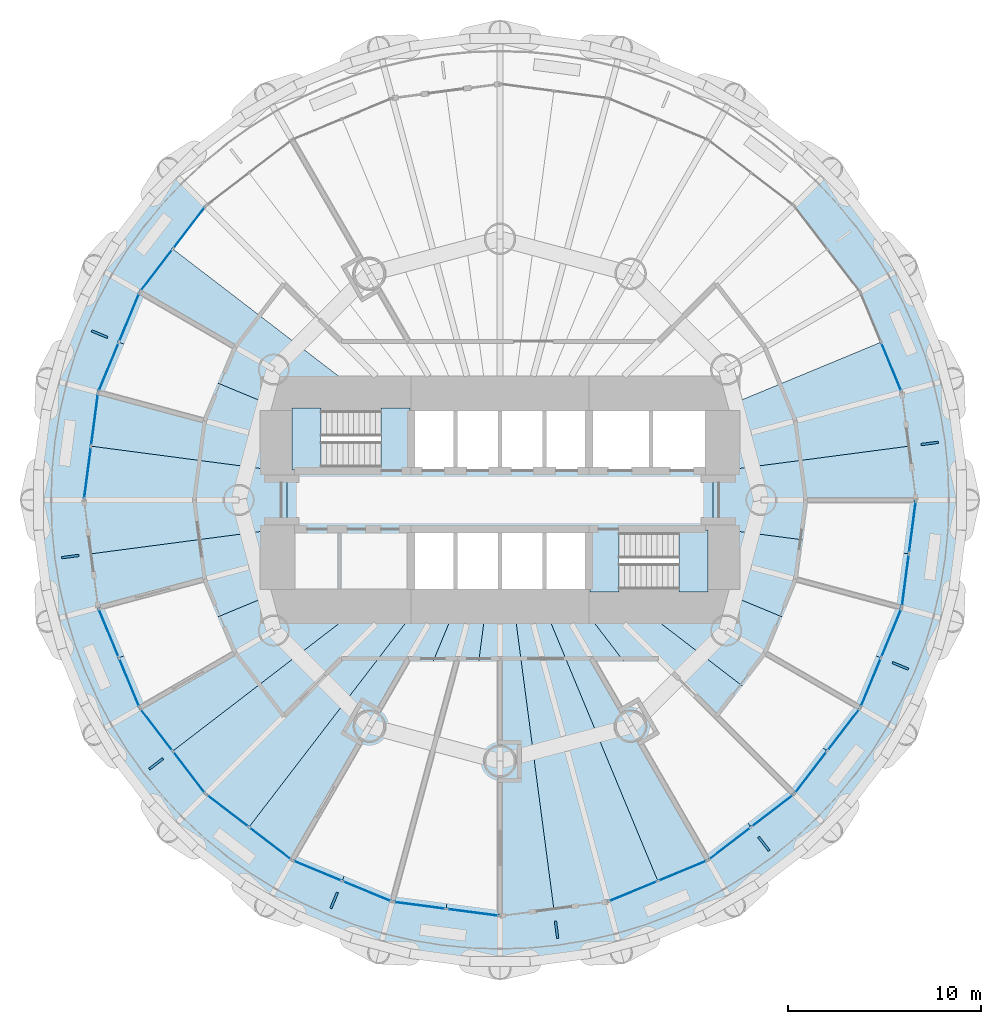
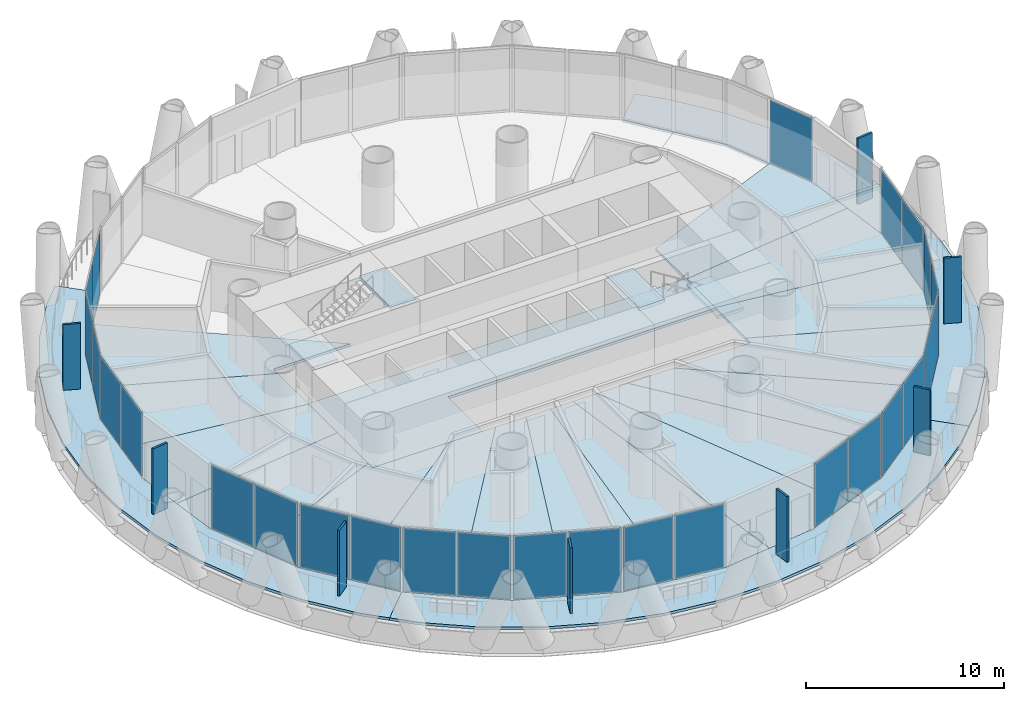
# One storey, part 8 of 16: 35 plates, 24 slabs, 16 elements without a shape of their own.
"""IFC4 building model written with IfcOpenShell, lengths in metres."""

from ifc_helpers import new_model, si_unit, direction, frame, origin, origin_2d, place, context, subcontext, project, spatial, polyline, rectangle, outline, extrude, material, layer, layer_set, type_object, element, aggregate, save


model = new_model("IFC4")

# Units and contexts
model_context = context("Model", 3, precision=1e-05, world=origin(), true_north=direction((0.0, 1.0)))
body_context = subcontext(model_context, "Body", "Model", "MODEL_VIEW")
ifc_project = project(units=[si_unit("LENGTHUNIT", "METRE"), si_unit("AREAUNIT", "SQUARE_METRE"), si_unit("VOLUMEUNIT", "CUBIC_METRE"), si_unit("PLANEANGLEUNIT", "RADIAN"), si_unit("MASSUNIT", "GRAM", prefix="KILO")], contexts=[model_context])

# Site, building, storey
site_placement = place(None, origin())
site = spatial("IfcSite", under=ifc_project, at=site_placement, CompositionType="ELEMENT")
building_placement = place(site_placement, origin())
building = spatial("IfcBuilding", under=site, at=building_placement, Name="Qaws Media Tower", CompositionType="ELEMENT")
storey_placement = place(building_placement, frame((0.0, 0.0, 38.60009765625)))
storey = spatial("IfcBuildingStorey", under=building, at=storey_placement, Name="L07", CompositionType="ELEMENT", Elevation=38.60009765625)

# Slabs
ifc_material_1 = material(Name="Concrete C35/45", Category="concrete")
ifc_layer_1 = layer(ifc_material_1, 0.159912109375)
ifc_layer_set_1 = layer_set([ifc_layer_1], Name="Composite balcony slab 160")
slab_type_1 = type_object("IfcSlabType", Name="Composite balcony slab 160", PredefinedType="FLOOR", material=ifc_layer_set_1)
slab_1_placement = place(storey_placement, frame((0.0, 0.0, -0.16015625)))
element("IfcSlab", 1, at=slab_1_placement, inside=storey, type_object=slab_type_1, Name="S2 balcony slab L07 R10 to R16, movement joints on R10 and R16", PredefinedType="FLOOR", context=body_context, shape_type="SweptSolid", body=[
    extrude(outline(polyline([(42.031005859375, 34.24169921875), (40.1279296875, 36.721923828125), (38.564697265625, 39.42919921875), (37.368408203125, 42.317626953125), (36.55908203125, 45.33740234375), (36.151123046875, 48.43701171875), (36.151123046875, 51.56298828125), (36.55908203125, 54.66259765625), (37.368408203125, 57.682373046875), (38.564697265625, 60.57080078125), (40.1279296875, 63.278076171875), (42.031005859375, 65.75830078125), (43.13623046875, 66.86376953125), (44.797119140625, 65.202880859375), (41.380615234375, 60.75), (39.232666015625, 55.564697265625), (38.5, 50.0), (39.232666015625, 44.435302734375), (41.380615234375, 39.25), (44.797119140625, 34.797119140625), (43.13623046875, 33.13623046875), (42.031005859375, 34.24169921875)])), origin(), (0.0, 0.0, 1.0), 0.16015625),
])
slab_2_placement = place(storey_placement, frame((0.0, 0.0, -0.16015625)))
element("IfcSlab", 2, at=slab_2_placement, inside=storey, type_object=slab_type_1, Name="S2 balcony slab L07 R16 to R22, movement joints on R16 and R22", PredefinedType="FLOOR", context=body_context, shape_type="SweptSolid", body=[
    extrude(outline(polyline([(75.75830078125, 32.031005859375), (73.278076171875, 30.1279296875), (70.57080078125, 28.564697265625), (67.682373046875, 27.368408203125), (64.66259765625, 26.55908203125), (61.56298828125, 26.151123046875), (58.43701171875, 26.151123046875), (55.33740234375, 26.55908203125), (52.317626953125, 27.368408203125), (49.42919921875, 28.564697265625), (46.721923828125, 30.1279296875), (44.24169921875, 32.031005859375), (43.13623046875, 33.13623046875), (44.797119140625, 34.797119140625), (49.25, 31.380615234375), (54.435302734375, 29.232666015625), (60.0, 28.5), (65.564697265625, 29.232666015625), (70.75, 31.380615234375), (75.202880859375, 34.797119140625), (76.86376953125, 33.13623046875), (75.75830078125, 32.031005859375)])), origin(), (0.0, 0.0, 1.0), 0.16015625),
])
slab_3_placement = place(storey_placement, frame((0.0, 0.0, -0.16015625)))
element("IfcSlab", 3, at=slab_3_placement, inside=storey, type_object=slab_type_1, Name="S2 balcony slab L07 R22 to R04, movement joints on R22 and R04", PredefinedType="FLOOR", context=body_context, shape_type="SweptSolid", body=[
    extrude(outline(polyline([(83.44091796875, 45.33740234375), (82.631591796875, 42.317626953125), (81.435302734375, 39.42919921875), (79.8720703125, 36.721923828125), (77.968994140625, 34.24169921875), (76.86376953125, 33.13623046875), (75.202880859375, 34.797119140625), (78.619384765625, 39.25), (80.767333984375, 44.435302734375), (81.5, 50.0), (80.767333984375, 55.564697265625), (78.619384765625, 60.75), (75.202880859375, 65.202880859375), (76.86376953125, 66.86376953125), (77.968994140625, 65.75830078125), (79.8720703125, 63.278076171875), (81.435302734375, 60.57080078125), (82.631591796875, 57.682373046875), (83.44091796875, 54.66259765625), (83.848876953125, 51.56298828125), (83.848876953125, 48.43701171875), (83.44091796875, 45.33740234375)])), origin(), (0.0, 0.0, 1.0), 0.16015625),
])
ifc_material_2 = material(Name="Concrete C35/45", Category="concrete")
ifc_layer_2 = layer(ifc_material_2, 0.159912109375)
ifc_layer_set_2 = layer_set([ifc_layer_2], Name="Composite floor slab 160")
slab_type_2 = type_object("IfcSlabType", Name="Composite floor slab 160", PredefinedType="FLOOR", material=ifc_layer_set_2)
slab_4_placement = place(storey_placement, frame((0.0, 0.0, -0.16015625)))
element("IfcSlab", 4, at=slab_4_placement, inside=storey, type_object=slab_type_2, Name="S1 core floor slab L07", PredefinedType="FLOOR", context=body_context, shape_type="SweptSolid", body=[
    extrude(outline(polyline([(71.0, 51.5), (71.0, 48.5), (55.39990234375, 48.5), (55.39990234375, 45.0), (49.0, 45.0), (49.0, 51.5), (71.0, 51.5)])), origin(), (0.0, 0.0, 1.0), 0.16015625),
])
slab_5_placement = place(storey_placement, frame((0.0, 0.0, -0.16015625)))
element("IfcSlab", 5, at=slab_5_placement, inside=storey, type_object=slab_type_2, Name="S1 floor panel L07 on R01", PredefinedType="FLOOR", context=body_context, shape_type="SweptSolid", body=[
    extrude(outline(polyline([(81.5, 50.0), (81.1337890625, 47.2177734375), (71.0, 48.5517578125), (71.0, 51.4482421875), (81.1337890625, 52.7822265625), (81.5, 50.0)])), origin(), (0.0, 0.0, 1.0), 0.16015625),
])
slab_6_placement = place(storey_placement, frame((0.0, 0.0, -0.16015625)))
element("IfcSlab", 6, at=slab_6_placement, inside=storey, type_object=slab_type_2, Name="S1 floor panel L07 on R02", PredefinedType="FLOOR", context=body_context, shape_type="SweptSolid", body=[
    extrude(outline(polyline([(80.767333984375, 55.564697265625), (81.1337890625, 52.7822265625), (71.0, 51.4482421875), (71.0, 54.556396484375), (79.693603515625, 58.1572265625), (80.767333984375, 55.564697265625)])), origin(), (0.0, 0.0, 1.0), 0.16015625),
])
slab_7_placement = place(storey_placement, frame((0.0, 0.0, -0.16015625)))
element("IfcSlab", 7, at=slab_7_placement, inside=storey, type_object=slab_type_2, Name="S1 floor panel L07 on R11", PredefinedType="FLOOR", context=body_context, shape_type="SweptSolid", body=[
    extrude(outline(polyline([(41.380615234375, 60.75), (43.0888671875, 62.976318359375), (53.48388671875, 55.0), (49.0, 55.0), (49.0, 54.556396484375), (40.306396484375, 58.1572265625), (41.380615234375, 60.75)])), origin(), (0.0, 0.0, 1.0), 0.16015625),
])
slab_8_placement = place(storey_placement, frame((0.0, 0.0, -0.16015625)))
element("IfcSlab", 8, at=slab_8_placement, inside=storey, type_object=slab_type_2, Name="S1 floor panel L07 on R12", PredefinedType="FLOOR", context=body_context, shape_type="SweptSolid", body=[
    extrude(outline(polyline([(39.232666015625, 55.564697265625), (40.306396484375, 58.1572265625), (49.0, 54.556396484375), (49.0, 51.4482421875), (38.8662109375, 52.7822265625), (39.232666015625, 55.564697265625)])), origin(), (0.0, 0.0, 1.0), 0.16015625),
])
slab_9_placement = place(storey_placement, frame((0.0, 0.0, -0.16015625)))
element("IfcSlab", 9, at=slab_9_placement, inside=storey, type_object=slab_type_2, Name="S1 floor panel L07 on R13", PredefinedType="FLOOR", context=body_context, shape_type="SweptSolid", body=[
    extrude(outline(polyline([(38.5, 50.0), (38.8662109375, 52.7822265625), (49.0, 51.4482421875), (49.0, 48.5517578125), (38.8662109375, 47.2177734375), (38.5, 50.0)])), origin(), (0.0, 0.0, 1.0), 0.16015625),
])
slab_10_placement = place(storey_placement, frame((0.0, 0.0, -0.16015625)))
element("IfcSlab", 10, at=slab_10_placement, inside=storey, type_object=slab_type_2, Name="S1 floor panel L07 on R14", PredefinedType="FLOOR", context=body_context, shape_type="SweptSolid", body=[
    extrude(outline(polyline([(39.232666015625, 44.435302734375), (38.8662109375, 47.2177734375), (49.0, 48.5517578125), (49.0, 45.443603515625), (40.306396484375, 41.8427734375), (39.232666015625, 44.435302734375)])), origin(), (0.0, 0.0, 1.0), 0.16015625),
])
slab_11_placement = place(storey_placement, frame((0.0, 0.0, -0.16015625)))
element("IfcSlab", 11, at=slab_11_placement, inside=storey, type_object=slab_type_2, Name="S1 floor panel L07 on R15", PredefinedType="FLOOR", context=body_context, shape_type="SweptSolid", body=[
    extrude(outline(polyline([(41.380615234375, 39.25), (40.306396484375, 41.8427734375), (49.0, 45.443603515625), (49.0, 45.0), (53.48388671875, 45.0), (43.0888671875, 37.023681640625), (41.380615234375, 39.25)])), origin(), (0.0, 0.0, 1.0), 0.16015625),
])
slab_12_placement = place(storey_placement, frame((0.0, 0.0, -0.16015625)))
element("IfcSlab", 12, at=slab_12_placement, inside=storey, type_object=slab_type_2, Name="S1 floor panel L07 on R16", PredefinedType="FLOOR", context=body_context, shape_type="SweptSolid", body=[
    extrude(outline(polyline([(44.797119140625, 34.797119140625), (43.0888671875, 37.023681640625), (53.48388671875, 45.0), (56.163330078125, 45.0), (47.023681640625, 33.0888671875), (44.797119140625, 34.797119140625)])), origin(), (0.0, 0.0, 1.0), 0.16015625),
])
slab_13_placement = place(storey_placement, frame((0.0, 0.0, -0.16015625)))
element("IfcSlab", 13, at=slab_13_placement, inside=storey, type_object=slab_type_2, Name="S1 floor panel L07 on R17", PredefinedType="FLOOR", context=body_context, shape_type="SweptSolid", body=[
    extrude(outline(polyline([(49.25, 31.380615234375), (47.023681640625, 33.0888671875), (56.163330078125, 45.0), (57.928955078125, 45.0), (51.8427734375, 30.306396484375), (49.25, 31.380615234375)])), origin(), (0.0, 0.0, 1.0), 0.16015625),
])
slab_14_placement = place(storey_placement, frame((0.0, 0.0, -0.16015625)))
element("IfcSlab", 14, at=slab_14_placement, inside=storey, type_object=slab_type_2, Name="S1 floor panel L07 on R18", PredefinedType="FLOOR", context=body_context, shape_type="SweptSolid", body=[
    extrude(outline(polyline([(54.435302734375, 29.232666015625), (51.8427734375, 30.306396484375), (57.928955078125, 45.0), (59.341796875, 45.0), (57.2177734375, 28.8662109375), (54.435302734375, 29.232666015625)])), origin(), (0.0, 0.0, 1.0), 0.16015625),
])
slab_15_placement = place(storey_placement, frame((0.0, 0.0, -0.16015625)))
element("IfcSlab", 15, at=slab_15_placement, inside=storey, type_object=slab_type_2, Name="S1 floor panel L07 on R19", PredefinedType="FLOOR", context=body_context, shape_type="SweptSolid", body=[
    extrude(outline(polyline([(60.0, 28.5), (57.2177734375, 28.8662109375), (59.341796875, 45.0), (60.658203125, 45.0), (62.7822265625, 28.8662109375), (60.0, 28.5)])), origin(), (0.0, 0.0, 1.0), 0.16015625),
])
slab_16_placement = place(storey_placement, frame((0.0, 0.0, -0.16015625)))
element("IfcSlab", 16, at=slab_16_placement, inside=storey, type_object=slab_type_2, Name="S1 floor panel L07 on R20", PredefinedType="FLOOR", context=body_context, shape_type="SweptSolid", body=[
    extrude(outline(polyline([(65.564697265625, 29.232666015625), (62.7822265625, 28.8662109375), (60.658203125, 45.0), (62.071044921875, 45.0), (68.1572265625, 30.306396484375), (65.564697265625, 29.232666015625)])), origin(), (0.0, 0.0, 1.0), 0.16015625),
])
slab_17_placement = place(storey_placement, frame((0.0, 0.0, -0.16015625)))
element("IfcSlab", 17, at=slab_17_placement, inside=storey, type_object=slab_type_2, Name="S1 floor panel L07 on R21", PredefinedType="FLOOR", context=body_context, shape_type="SweptSolid", body=[
    extrude(outline(polyline([(70.75, 31.380615234375), (68.1572265625, 30.306396484375), (62.071044921875, 45.0), (63.836669921875, 45.0), (72.976318359375, 33.0888671875), (70.75, 31.380615234375)])), origin(), (0.0, 0.0, 1.0), 0.16015625),
])
slab_18_placement = place(storey_placement, frame((0.0, 0.0, -0.16015625)))
element("IfcSlab", 18, at=slab_18_placement, inside=storey, type_object=slab_type_2, Name="S1 floor panel L07 on R22", PredefinedType="FLOOR", context=body_context, shape_type="SweptSolid", body=[
    extrude(outline(polyline([(75.202880859375, 34.797119140625), (72.976318359375, 33.0888671875), (63.836669921875, 45.0), (66.51611328125, 45.0), (76.9111328125, 37.023681640625), (75.202880859375, 34.797119140625)])), origin(), (0.0, 0.0, 1.0), 0.16015625),
])
slab_19_placement = place(storey_placement, frame((0.0, 0.0, -0.16015625)))
element("IfcSlab", 19, at=slab_19_placement, inside=storey, type_object=slab_type_2, Name="S1 floor panel L07 on R23", PredefinedType="FLOOR", context=body_context, shape_type="SweptSolid", body=[
    extrude(outline(polyline([(78.619384765625, 39.25), (76.9111328125, 37.023681640625), (66.51611328125, 45.0), (71.0, 45.0), (71.0, 45.443603515625), (79.693603515625, 41.8427734375), (78.619384765625, 39.25)])), origin(), (0.0, 0.0, 1.0), 0.16015625),
])
slab_20_placement = place(storey_placement, frame((0.0, 0.0, -0.16015625)))
element("IfcSlab", 20, at=slab_20_placement, inside=storey, type_object=slab_type_2, Name="S1 floor panel L07 on R24", PredefinedType="FLOOR", context=body_context, shape_type="SweptSolid", body=[
    extrude(outline(polyline([(79.693603515625, 41.8427734375), (71.0, 45.443603515625), (71.0, 48.5517578125), (81.1337890625, 47.2177734375), (80.767333984375, 44.435302734375), (79.693603515625, 41.8427734375)])), origin(), (0.0, 0.0, 1.0), 0.16015625),
])

# Curtain wall, plate
ifc_material_3 = material(Name="Aluminium and clear glass", Category="aluminium")
curtain_wall_type = type_object("IfcCurtainWallType", Name="Unitised curtain wall CW-A", PredefinedType="NOTDEFINED", material=ifc_material_3)
curtain_wall_1_placement = place(storey_placement, origin())
curtain_wall_1 = element("IfcCurtainWall", 21, at=curtain_wall_1_placement, inside=storey, type_object=curtain_wall_type, Name="CWA curtain wall L07-02", PredefinedType="NOTDEFINED")
ifc_material_4 = material(Name="Clear laminated double glazing", Category="glass")
ifc_layer_3 = layer(ifc_material_4, 0.031982421875)
ifc_layer_set_3 = layer_set([ifc_layer_3], Name="Curtain wall glass unit 32")
plate_type_1 = type_object("IfcPlateType", Name="Curtain wall glass unit 32", PredefinedType="CURTAIN_PANEL", material=ifc_layer_set_3)
plate_1_placement = place(storey_placement, frame((80.222900390625, 56.87939453125, 0.080078125), z_axis=(0.0, 0.0, 1.0), x_axis=(-0.382683390022, 0.923879550051, 0.0)))
plate_1 = element("IfcPlate", 22, at=plate_1_placement, type_object=plate_type_1, Name="CWA panel 1.1", PredefinedType="CURTAIN_PANEL", context=body_context, shape_type="SweptSolid", body=[
    extrude(rectangle(XDim=2.686279296875, YDim=0.031982421875, at=origin_2d()), origin(), (0.0, 0.0, 1.0), 3.8798828125),
])
aggregate(curtain_wall_1, [plate_1])

# Curtain wall, plates
curtain_wall_2_placement = place(storey_placement, origin())
curtain_wall_2 = element("IfcCurtainWall", 23, at=curtain_wall_2_placement, inside=storey, type_object=curtain_wall_type, Name="CWA curtain wall L07-10", PredefinedType="NOTDEFINED")
plate_2_placement = place(storey_placement, frame((43.930908203125, 64.07373046875, 0.080078125), z_axis=(0.0, 0.0, 1.0), x_axis=(-0.608761368139, -0.793353386998, 0.0)))
plate_2 = element("IfcPlate", 24, at=plate_2_placement, type_object=plate_type_1, Name="CWA panel 1.1", PredefinedType="CURTAIN_PANEL", context=body_context, shape_type="SweptSolid", body=[
    extrude(rectangle(XDim=2.686279296875, YDim=0.031982421875, at=origin_2d()), origin(), (0.0, 0.0, 1.0), 3.8798828125),
])
plate_3_placement = place(storey_placement, frame((42.246826171875, 61.879150390625, 0.080078125), z_axis=(0.0, 0.0, 1.0), x_axis=(-0.608761368139, -0.793353386998, 0.0)))
plate_3 = element("IfcPlate", 25, at=plate_3_placement, type_object=plate_type_1, Name="CWA panel 2.1", PredefinedType="CURTAIN_PANEL", context=body_context, shape_type="SweptSolid", body=[
    extrude(rectangle(XDim=2.686279296875, YDim=0.031982421875, at=origin_2d()), origin(), (0.0, 0.0, 1.0), 3.8798828125),
])
aggregate(curtain_wall_2, [plate_2, plate_3])

curtain_wall_3_placement = place(storey_placement, origin())
curtain_wall_3 = element("IfcCurtainWall", 26, at=curtain_wall_3_placement, inside=storey, type_object=curtain_wall_type, Name="CWA curtain wall L07-11", PredefinedType="NOTDEFINED")
plate_4_placement = place(storey_placement, frame((40.8359375, 59.43505859375, 0.080078125), z_axis=(0.0, 0.0, 1.0), x_axis=(-0.382683390022, -0.923879550051, 0.0)))
plate_4 = element("IfcPlate", 27, at=plate_4_placement, type_object=plate_type_1, Name="CWA panel 1.1", PredefinedType="CURTAIN_PANEL", context=body_context, shape_type="SweptSolid", body=[
    extrude(rectangle(XDim=2.686279296875, YDim=0.031982421875, at=origin_2d()), origin(), (0.0, 0.0, 1.0), 3.8798828125),
])
plate_5_placement = place(storey_placement, frame((39.777099609375, 56.87939453125, 0.080078125), z_axis=(0.0, 0.0, 1.0), x_axis=(-0.382683390022, -0.923879550051, 0.0)))
plate_5 = element("IfcPlate", 28, at=plate_5_placement, type_object=plate_type_1, Name="CWA panel 2.1", PredefinedType="CURTAIN_PANEL", context=body_context, shape_type="SweptSolid", body=[
    extrude(rectangle(XDim=2.686279296875, YDim=0.031982421875, at=origin_2d()), origin(), (0.0, 0.0, 1.0), 3.8798828125),
])
aggregate(curtain_wall_3, [plate_4, plate_5])

curtain_wall_4_placement = place(storey_placement, origin())
curtain_wall_4 = element("IfcCurtainWall", 29, at=curtain_wall_4_placement, inside=storey, type_object=curtain_wall_type, Name="CWA curtain wall L07-12", PredefinedType="NOTDEFINED")
plate_6_placement = place(storey_placement, frame((39.046875, 54.153564453125, 0.080078125), z_axis=(0.0, 0.0, 1.0), x_axis=(-0.130526249496, -0.991444853833, 0.0)))
plate_6 = element("IfcPlate", 30, at=plate_6_placement, type_object=plate_type_1, Name="CWA panel 1.1", PredefinedType="CURTAIN_PANEL", context=body_context, shape_type="SweptSolid", body=[
    extrude(rectangle(XDim=2.686279296875, YDim=0.031982421875, at=origin_2d()), origin(), (0.0, 0.0, 1.0), 3.8798828125),
])
plate_7_placement = place(storey_placement, frame((38.685791015625, 51.410888671875, 0.080078125), z_axis=(0.0, 0.0, 1.0), x_axis=(-0.130526249496, -0.991444853833, 0.0)))
plate_7 = element("IfcPlate", 31, at=plate_7_placement, type_object=plate_type_1, Name="CWA panel 2.1", PredefinedType="CURTAIN_PANEL", context=body_context, shape_type="SweptSolid", body=[
    extrude(rectangle(XDim=2.686279296875, YDim=0.031982421875, at=origin_2d()), origin(), (0.0, 0.0, 1.0), 3.8798828125),
])
aggregate(curtain_wall_4, [plate_6, plate_7])

curtain_wall_5_placement = place(storey_placement, origin())
curtain_wall_5 = element("IfcCurtainWall", 32, at=curtain_wall_5_placement, inside=storey, type_object=curtain_wall_type, Name="CWA curtain wall L07-14", PredefinedType="NOTDEFINED")
plate_8_placement = place(storey_placement, frame((39.777099609375, 43.12060546875, 0.080078125), z_axis=(0.0, 0.0, 1.0), x_axis=(0.382683390022, -0.923879550051, 0.0)))
plate_8 = element("IfcPlate", 33, at=plate_8_placement, type_object=plate_type_1, Name="CWA panel 1.1", PredefinedType="CURTAIN_PANEL", context=body_context, shape_type="SweptSolid", body=[
    extrude(rectangle(XDim=2.686279296875, YDim=0.031982421875, at=origin_2d()), origin(), (0.0, 0.0, 1.0), 3.8798828125),
])
plate_9_placement = place(storey_placement, frame((40.8359375, 40.56494140625, 0.080078125), z_axis=(0.0, 0.0, 1.0), x_axis=(0.382683390022, -0.923879550051, 0.0)))
plate_9 = element("IfcPlate", 34, at=plate_9_placement, type_object=plate_type_1, Name="CWA panel 2.1", PredefinedType="CURTAIN_PANEL", context=body_context, shape_type="SweptSolid", body=[
    extrude(rectangle(XDim=2.686279296875, YDim=0.031982421875, at=origin_2d()), origin(), (0.0, 0.0, 1.0), 3.8798828125),
])
aggregate(curtain_wall_5, [plate_8, plate_9])

curtain_wall_6_placement = place(storey_placement, origin())
curtain_wall_6 = element("IfcCurtainWall", 35, at=curtain_wall_6_placement, inside=storey, type_object=curtain_wall_type, Name="CWA curtain wall L07-15", PredefinedType="NOTDEFINED")
plate_10_placement = place(storey_placement, frame((42.246826171875, 38.120849609375, 0.080078125), z_axis=(0.0, 0.0, 1.0), x_axis=(0.608761368139, -0.793353386998, 0.0)))
plate_10 = element("IfcPlate", 36, at=plate_10_placement, type_object=plate_type_1, Name="CWA panel 1.1", PredefinedType="CURTAIN_PANEL", context=body_context, shape_type="SweptSolid", body=[
    extrude(rectangle(XDim=2.686279296875, YDim=0.031982421875, at=origin_2d()), origin(), (0.0, 0.0, 1.0), 3.8798828125),
])
plate_11_placement = place(storey_placement, frame((43.930908203125, 35.92626953125, 0.080078125), z_axis=(0.0, 0.0, 1.0), x_axis=(0.608761368139, -0.793353386998, 0.0)))
plate_11 = element("IfcPlate", 37, at=plate_11_placement, type_object=plate_type_1, Name="CWA panel 2.1", PredefinedType="CURTAIN_PANEL", context=body_context, shape_type="SweptSolid", body=[
    extrude(rectangle(XDim=2.686279296875, YDim=0.031982421875, at=origin_2d()), origin(), (0.0, 0.0, 1.0), 3.8798828125),
])
aggregate(curtain_wall_6, [plate_10, plate_11])

curtain_wall_7_placement = place(storey_placement, origin())
curtain_wall_7 = element("IfcCurtainWall", 38, at=curtain_wall_7_placement, inside=storey, type_object=curtain_wall_type, Name="CWA curtain wall L07-16", PredefinedType="NOTDEFINED")
plate_12_placement = place(storey_placement, frame((45.92626953125, 33.930908203125, 0.080078125), z_axis=(0.0, 0.0, 1.0), x_axis=(0.793353386998, -0.608761368139, 0.0)))
plate_12 = element("IfcPlate", 39, at=plate_12_placement, type_object=plate_type_1, Name="CWA panel 1.1", PredefinedType="CURTAIN_PANEL", context=body_context, shape_type="SweptSolid", body=[
    extrude(rectangle(XDim=2.686279296875, YDim=0.031982421875, at=origin_2d()), origin(), (0.0, 0.0, 1.0), 3.8798828125),
])
plate_13_placement = place(storey_placement, frame((48.120849609375, 32.246826171875, 0.080078125), z_axis=(0.0, 0.0, 1.0), x_axis=(0.793353386998, -0.608761368139, 0.0)))
plate_13 = element("IfcPlate", 40, at=plate_13_placement, type_object=plate_type_1, Name="CWA panel 2.1", PredefinedType="CURTAIN_PANEL", context=body_context, shape_type="SweptSolid", body=[
    extrude(rectangle(XDim=2.686279296875, YDim=0.031982421875, at=origin_2d()), origin(), (0.0, 0.0, 1.0), 3.8798828125),
])
aggregate(curtain_wall_7, [plate_12, plate_13])

curtain_wall_8_placement = place(storey_placement, origin())
curtain_wall_8 = element("IfcCurtainWall", 41, at=curtain_wall_8_placement, inside=storey, type_object=curtain_wall_type, Name="CWA curtain wall L07-17", PredefinedType="NOTDEFINED")
plate_14_placement = place(storey_placement, frame((50.56494140625, 30.8359375, 0.080078125), z_axis=(0.0, 0.0, 1.0), x_axis=(0.923879550051, -0.382683390022, 0.0)))
plate_14 = element("IfcPlate", 42, at=plate_14_placement, type_object=plate_type_1, Name="CWA panel 1.1", PredefinedType="CURTAIN_PANEL", context=body_context, shape_type="SweptSolid", body=[
    extrude(rectangle(XDim=2.686279296875, YDim=0.031982421875, at=origin_2d()), origin(), (0.0, 0.0, 1.0), 3.8798828125),
])
plate_15_placement = place(storey_placement, frame((53.12060546875, 29.777099609375, 0.080078125), z_axis=(0.0, 0.0, 1.0), x_axis=(0.923879550051, -0.382683390022, 0.0)))
plate_15 = element("IfcPlate", 43, at=plate_15_placement, type_object=plate_type_1, Name="CWA panel 2.1", PredefinedType="CURTAIN_PANEL", context=body_context, shape_type="SweptSolid", body=[
    extrude(rectangle(XDim=2.686279296875, YDim=0.031982421875, at=origin_2d()), origin(), (0.0, 0.0, 1.0), 3.8798828125),
])
aggregate(curtain_wall_8, [plate_14, plate_15])

curtain_wall_9_placement = place(storey_placement, origin())
curtain_wall_9 = element("IfcCurtainWall", 44, at=curtain_wall_9_placement, inside=storey, type_object=curtain_wall_type, Name="CWA curtain wall L07-18", PredefinedType="NOTDEFINED")
plate_16_placement = place(storey_placement, frame((55.846435546875, 29.046875, 0.080078125), z_axis=(0.0, 0.0, 1.0), x_axis=(0.991444853833, -0.130526249496, 0.0)))
plate_16 = element("IfcPlate", 45, at=plate_16_placement, type_object=plate_type_1, Name="CWA panel 1.1", PredefinedType="CURTAIN_PANEL", context=body_context, shape_type="SweptSolid", body=[
    extrude(rectangle(XDim=2.686279296875, YDim=0.031982421875, at=origin_2d()), origin(), (0.0, 0.0, 1.0), 3.8798828125),
])
plate_17_placement = place(storey_placement, frame((58.589111328125, 28.685791015625, 0.080078125), z_axis=(0.0, 0.0, 1.0), x_axis=(0.991444853833, -0.130526249496, 0.0)))
plate_17 = element("IfcPlate", 46, at=plate_17_placement, type_object=plate_type_1, Name="CWA panel 2.1", PredefinedType="CURTAIN_PANEL", context=body_context, shape_type="SweptSolid", body=[
    extrude(rectangle(XDim=2.686279296875, YDim=0.031982421875, at=origin_2d()), origin(), (0.0, 0.0, 1.0), 3.8798828125),
])
aggregate(curtain_wall_9, [plate_16, plate_17])

curtain_wall_10_placement = place(storey_placement, origin())
curtain_wall_10 = element("IfcCurtainWall", 47, at=curtain_wall_10_placement, inside=storey, type_object=curtain_wall_type, Name="CWA curtain wall L07-20", PredefinedType="NOTDEFINED")
plate_18_placement = place(storey_placement, frame((66.87939453125, 29.777099609375, 0.080078125), z_axis=(0.0, 0.0, 1.0), x_axis=(0.923879550051, 0.382683390022, 0.0)))
plate_18 = element("IfcPlate", 48, at=plate_18_placement, type_object=plate_type_1, Name="CWA panel 1.1", PredefinedType="CURTAIN_PANEL", context=body_context, shape_type="SweptSolid", body=[
    extrude(rectangle(XDim=2.686279296875, YDim=0.031982421875, at=origin_2d()), origin(), (0.0, 0.0, 1.0), 3.8798828125),
])
plate_19_placement = place(storey_placement, frame((69.43505859375, 30.8359375, 0.080078125), z_axis=(0.0, 0.0, 1.0), x_axis=(0.923879550051, 0.382683390022, 0.0)))
plate_19 = element("IfcPlate", 49, at=plate_19_placement, type_object=plate_type_1, Name="CWA panel 2.1", PredefinedType="CURTAIN_PANEL", context=body_context, shape_type="SweptSolid", body=[
    extrude(rectangle(XDim=2.686279296875, YDim=0.031982421875, at=origin_2d()), origin(), (0.0, 0.0, 1.0), 3.8798828125),
])
aggregate(curtain_wall_10, [plate_18, plate_19])

curtain_wall_11_placement = place(storey_placement, origin())
curtain_wall_11 = element("IfcCurtainWall", 50, at=curtain_wall_11_placement, inside=storey, type_object=curtain_wall_type, Name="CWA curtain wall L07-21", PredefinedType="NOTDEFINED")
plate_20_placement = place(storey_placement, frame((71.879150390625, 32.246826171875, 0.080078125), z_axis=(0.0, 0.0, 1.0), x_axis=(0.793353386998, 0.608761368139, 0.0)))
plate_20 = element("IfcPlate", 51, at=plate_20_placement, type_object=plate_type_1, Name="CWA panel 1.1", PredefinedType="CURTAIN_PANEL", context=body_context, shape_type="SweptSolid", body=[
    extrude(rectangle(XDim=2.686279296875, YDim=0.031982421875, at=origin_2d()), origin(), (0.0, 0.0, 1.0), 3.8798828125),
])
plate_21_placement = place(storey_placement, frame((74.07373046875, 33.930908203125, 0.080078125), z_axis=(0.0, 0.0, 1.0), x_axis=(0.793353386998, 0.608761368139, 0.0)))
plate_21 = element("IfcPlate", 52, at=plate_21_placement, type_object=plate_type_1, Name="CWA panel 2.1", PredefinedType="CURTAIN_PANEL", context=body_context, shape_type="SweptSolid", body=[
    extrude(rectangle(XDim=2.686279296875, YDim=0.031982421875, at=origin_2d()), origin(), (0.0, 0.0, 1.0), 3.8798828125),
])
aggregate(curtain_wall_11, [plate_20, plate_21])

curtain_wall_12_placement = place(storey_placement, origin())
curtain_wall_12 = element("IfcCurtainWall", 53, at=curtain_wall_12_placement, inside=storey, type_object=curtain_wall_type, Name="CWA curtain wall L07-22", PredefinedType="NOTDEFINED")
plate_22_placement = place(storey_placement, frame((76.069091796875, 35.92626953125, 0.080078125), z_axis=(0.0, 0.0, 1.0), x_axis=(0.608761368139, 0.793353386998, 0.0)))
plate_22 = element("IfcPlate", 54, at=plate_22_placement, type_object=plate_type_1, Name="CWA panel 1.1", PredefinedType="CURTAIN_PANEL", context=body_context, shape_type="SweptSolid", body=[
    extrude(rectangle(XDim=2.686279296875, YDim=0.031982421875, at=origin_2d()), origin(), (0.0, 0.0, 1.0), 3.8798828125),
])
plate_23_placement = place(storey_placement, frame((77.753173828125, 38.120849609375, 0.080078125), z_axis=(0.0, 0.0, 1.0), x_axis=(0.608761368139, 0.793353386998, 0.0)))
plate_23 = element("IfcPlate", 55, at=plate_23_placement, type_object=plate_type_1, Name="CWA panel 2.1", PredefinedType="CURTAIN_PANEL", context=body_context, shape_type="SweptSolid", body=[
    extrude(rectangle(XDim=2.686279296875, YDim=0.031982421875, at=origin_2d()), origin(), (0.0, 0.0, 1.0), 3.8798828125),
])
aggregate(curtain_wall_12, [plate_22, plate_23])

curtain_wall_13_placement = place(storey_placement, origin())
curtain_wall_13 = element("IfcCurtainWall", 56, at=curtain_wall_13_placement, inside=storey, type_object=curtain_wall_type, Name="CWA curtain wall L07-23", PredefinedType="NOTDEFINED")
plate_24_placement = place(storey_placement, frame((79.1640625, 40.56494140625, 0.080078125), z_axis=(0.0, 0.0, 1.0), x_axis=(0.382683390022, 0.923879550051, 0.0)))
plate_24 = element("IfcPlate", 57, at=plate_24_placement, type_object=plate_type_1, Name="CWA panel 1.1", PredefinedType="CURTAIN_PANEL", context=body_context, shape_type="SweptSolid", body=[
    extrude(rectangle(XDim=2.686279296875, YDim=0.031982421875, at=origin_2d()), origin(), (0.0, 0.0, 1.0), 3.8798828125),
])
plate_25_placement = place(storey_placement, frame((80.222900390625, 43.12060546875, 0.080078125), z_axis=(0.0, 0.0, 1.0), x_axis=(0.382683390022, 0.923879550051, 0.0)))
plate_25 = element("IfcPlate", 58, at=plate_25_placement, type_object=plate_type_1, Name="CWA panel 2.1", PredefinedType="CURTAIN_PANEL", context=body_context, shape_type="SweptSolid", body=[
    extrude(rectangle(XDim=2.686279296875, YDim=0.031982421875, at=origin_2d()), origin(), (0.0, 0.0, 1.0), 3.8798828125),
])
aggregate(curtain_wall_13, [plate_24, plate_25])

curtain_wall_14_placement = place(storey_placement, origin())
curtain_wall_14 = element("IfcCurtainWall", 59, at=curtain_wall_14_placement, inside=storey, type_object=curtain_wall_type, Name="CWA curtain wall L07-24", PredefinedType="NOTDEFINED")
plate_26_placement = place(storey_placement, frame((80.953125, 45.846435546875, 0.080078125), z_axis=(0.0, 0.0, 1.0), x_axis=(0.130526249496, 0.991444853833, 0.0)))
plate_26 = element("IfcPlate", 60, at=plate_26_placement, type_object=plate_type_1, Name="CWA panel 1.1", PredefinedType="CURTAIN_PANEL", context=body_context, shape_type="SweptSolid", body=[
    extrude(rectangle(XDim=2.686279296875, YDim=0.031982421875, at=origin_2d()), origin(), (0.0, 0.0, 1.0), 3.8798828125),
])
plate_27_placement = place(storey_placement, frame((81.314208984375, 48.589111328125, 0.080078125), z_axis=(0.0, 0.0, 1.0), x_axis=(0.130526249496, 0.991444853833, 0.0)))
plate_27 = element("IfcPlate", 61, at=plate_27_placement, type_object=plate_type_1, Name="CWA panel 2.1", PredefinedType="CURTAIN_PANEL", context=body_context, shape_type="SweptSolid", body=[
    extrude(rectangle(XDim=2.686279296875, YDim=0.031982421875, at=origin_2d()), origin(), (0.0, 0.0, 1.0), 3.8798828125),
])
aggregate(curtain_wall_14, [plate_26, plate_27])

# Plates
ifc_material_5 = material(Name="Precast concrete screen fin", Category="concrete")
ifc_layer_4 = layer(ifc_material_5, 0.1201171875)
ifc_layer_set_4 = layer_set([ifc_layer_4], Name="Screen fin 120x900")
plate_type_2 = type_object("IfcPlateType", Name="Screen fin 120x900", PredefinedType="USERDEFINED", material=ifc_layer_set_4)
for number, where, z_axis, x_axis, name in (
    (62, (82.208251953125, 52.923828125, 0.0), (0.0, 0.0, 1.0), (0.991444861374, 0.13052619222, 0.0), "SCR1 screen fin L07-01"),
    (63, (39.30517578125, 58.572021484375, 0.0), (0.0, 0.0, 1.0), (-0.923879532511, 0.382683432365, 0.0), "SCR1 screen fin L07-06"),
    (64, (37.791748046875, 47.076171875, 0.0), (0.0, 0.0, 1.0), (-0.991444861374, -0.13052619222, 0.0), "SCR1 screen fin L07-07"),
    (65, (42.22900390625, 36.36376953125, 0.0), (0.0, 0.0, 1.0), (-0.793353340291, -0.608761429009, 0.0), "SCR1 screen fin L07-08"),
    (66, (51.427978515625, 29.30517578125, 0.0), (0.0, 0.0, 1.0), (-0.382683432365, -0.923879532511, 0.0), "SCR1 screen fin L07-09"),
    (67, (62.923828125, 27.791748046875, 0.0), (0.0, 0.0, 1.0), (0.13052619222, -0.991444861374, 0.0), "SCR1 screen fin L07-10"),
    (68, (73.63623046875, 32.22900390625, 0.0), (0.0, 0.0, 1.0), (0.608761429009, -0.793353340291, 0.0), "SCR1 screen fin L07-11"),
    (69, (80.69482421875, 41.427978515625, 0.0), (0.0, 0.0, 1.0), (0.923879532511, -0.382683432365, 0.0), "SCR1 screen fin L07-12"),
):
    element("IfcPlate", number, at=place(storey_placement, frame(where, z_axis=z_axis, x_axis=x_axis)), inside=storey, type_object=plate_type_2, Name=name, ObjectType="SCREEN", PredefinedType="USERDEFINED", context=body_context, shape_type="SweptSolid", body=[
        extrude(rectangle(XDim=0.89990234375, YDim=0.1201171875, at=origin_2d()), origin(), (0.0, 0.0, 1.0), 4.0400390625),
    ])

# Stair, slabs
ifc_material_6 = material(Name="Concrete C40/50", Category="concrete")
stair_type = type_object("IfcStairType", Name="Exit stair", PredefinedType="HALF_TURN_STAIR", material=ifc_material_6)
stair_1_placement = place(storey_placement, origin())
stair_1 = element("IfcStair", 70, at=stair_1_placement, inside=storey, type_object=stair_type, Name="S1 exit stair L07", PredefinedType="HALF_TURN_STAIR")
ifc_material_7 = material(Name="Concrete C40/50", Category="concrete")
ifc_layer_5 = layer(ifc_material_7, 0.199951171875)
ifc_layer_set_5 = layer_set([ifc_layer_5], Name="Stair landing 200")
slab_type_3 = type_object("IfcSlabType", Name="Stair landing 200", PredefinedType="LANDING", material=ifc_layer_set_5)
slab_21_placement = place(storey_placement, frame((0.0, 0.0, 1.89990234375)))
slab_21 = element("IfcSlab", 71, at=slab_21_placement, type_object=slab_type_3, Name="S1 landing 1", PredefinedType="LANDING", context=body_context, shape_type="SweptSolid", body=[
    extrude(outline(polyline([(49.25, 51.550048828125), (50.760009765625, 51.550048828125), (50.760009765625, 54.75), (49.25, 54.75), (49.25, 51.550048828125)])), origin(), (0.0, 0.0, 1.0), 0.199951171875),
])
slab_22_placement = place(storey_placement, frame((0.0, 0.0, 4.0)))
slab_22 = element("IfcSlab", 72, at=slab_22_placement, type_object=slab_type_3, Name="S1 landing 2", PredefinedType="LANDING", context=body_context, shape_type="SweptSolid", body=[
    extrude(outline(polyline([(53.840087890625, 51.550048828125), (55.35009765625, 51.550048828125), (55.35009765625, 54.75), (53.840087890625, 54.75), (53.840087890625, 51.550048828125)])), origin(), (0.0, 0.0, 1.0), 0.199951171875),
])
aggregate(stair_1, [slab_21, slab_22])

stair_2_placement = place(storey_placement, origin())
stair_2 = element("IfcStair", 73, at=stair_2_placement, inside=storey, type_object=stair_type, Name="S2 exit stair L07", PredefinedType="HALF_TURN_STAIR")
slab_23_placement = place(storey_placement, frame((0.0, 0.0, 1.89990234375)))
slab_23 = element("IfcSlab", 74, at=slab_23_placement, type_object=slab_type_3, Name="S2 landing 1", PredefinedType="LANDING", context=body_context, shape_type="SweptSolid", body=[
    extrude(outline(polyline([(69.239990234375, 45.25), (70.75, 45.25), (70.75, 48.449951171875), (69.239990234375, 48.449951171875), (69.239990234375, 45.25)])), origin(), (0.0, 0.0, 1.0), 0.199951171875),
])
slab_24_placement = place(storey_placement, frame((0.0, 0.0, 4.0)))
slab_24 = element("IfcSlab", 75, at=slab_24_placement, type_object=slab_type_3, Name="S2 landing 2", PredefinedType="LANDING", context=body_context, shape_type="SweptSolid", body=[
    extrude(outline(polyline([(64.64990234375, 45.25), (66.159912109375, 45.25), (66.159912109375, 48.449951171875), (64.64990234375, 48.449951171875), (64.64990234375, 45.25)])), origin(), (0.0, 0.0, 1.0), 0.199951171875),
])
aggregate(stair_2, [slab_23, slab_24])

save(model, "model.ifc")
